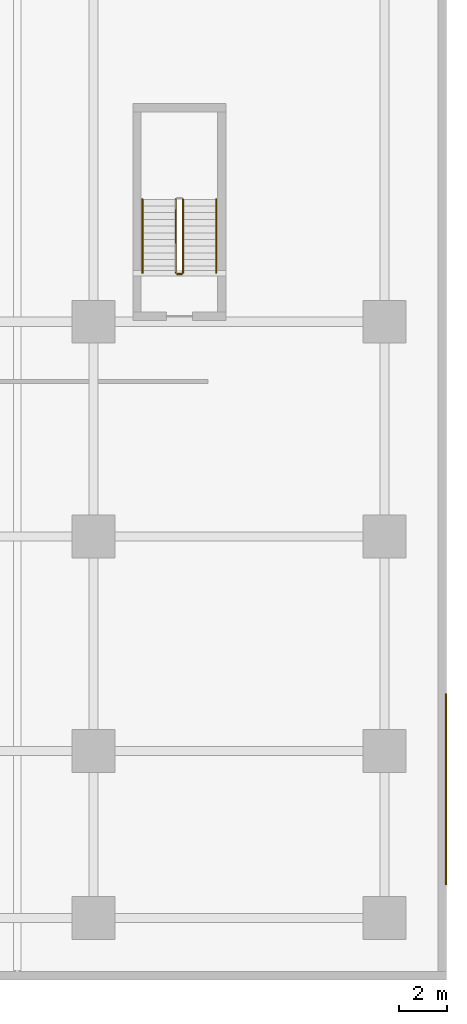
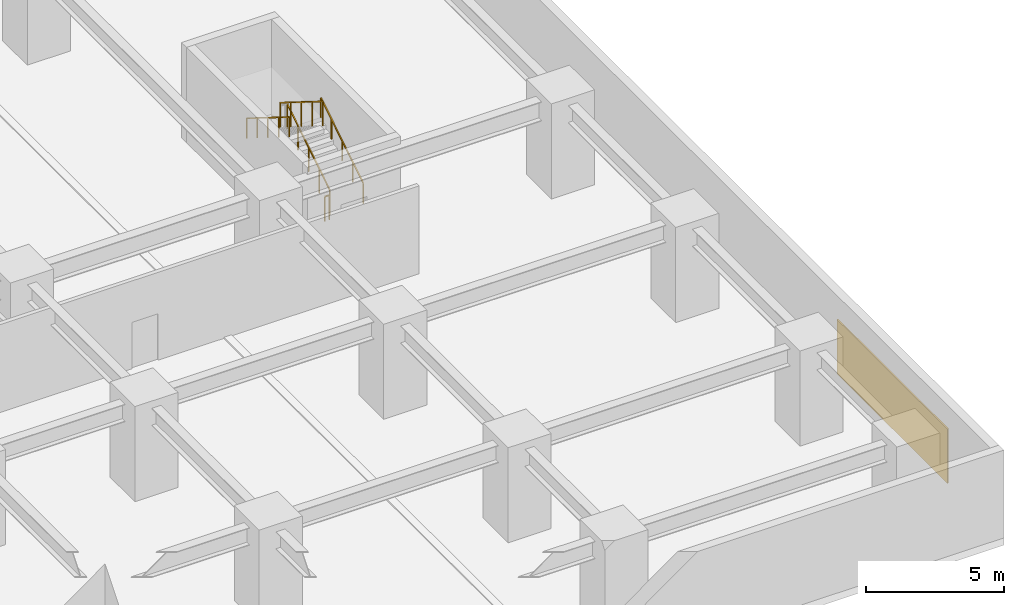
# One storey, part 20 of 22: 5 railings, 1 covering.
"""IFC4 building model written with IfcOpenShell, lengths in metres."""

from ifc_helpers import new_model, si_unit, direction, frame, origin, origin_2d, place, context, subcontext, project, spatial, polyline, rectangle, outline, extrude, material, layer, layer_set, type_object, element, save


model = new_model("IFC4")

# Units and contexts
model_context = context("Model", 3, precision=1e-05, world=origin(), true_north=direction((0.0, 1.0)))
body_context = subcontext(model_context, "Body", "Model", "MODEL_VIEW")
ifc_project = project(units=[si_unit("LENGTHUNIT", "METRE"), si_unit("AREAUNIT", "SQUARE_METRE"), si_unit("VOLUMEUNIT", "CUBIC_METRE"), si_unit("PLANEANGLEUNIT", "RADIAN"), si_unit("MASSUNIT", "GRAM", prefix="KILO")], contexts=[model_context])

# Site, building, storey
site_placement = place(None, origin())
site = spatial("IfcSite", under=ifc_project, at=site_placement, CompositionType="ELEMENT")
building_placement = place(site_placement, origin())
building = spatial("IfcBuilding", under=site, at=building_placement, Name="Kiyonajd Concourse Tower", CompositionType="ELEMENT")
storey_placement = place(building_placement, frame((0.0, 0.0, 4.5)))
storey = spatial("IfcBuildingStorey", under=building, at=storey_placement, Name="L02", CompositionType="ELEMENT", Elevation=4.5)

# Covering
ifc_material_1 = material(Name="Riyadh Jubaila Limestone", Category="masonry")
ifc_layer = layer(ifc_material_1, 0.06005859375)
ifc_layer_set = layer_set([ifc_layer], Name="Riyadh Jubaila Limestone")
covering_type = type_object("IfcCoveringType", Name="CV-CLD-STONE", PredefinedType="CLADDING", material=ifc_layer_set)
covering_placement = place(storey_placement, origin())
element("IfcCovering", 1, at=covering_placement, inside=storey, type_object=covering_type, Name="L02 Riyadh Jubaila Limestone Pier Cladding 2", PredefinedType="CLADDING", context=body_context, shape_type="SweptSolid", body=[
    extrude(outline(polyline([(95.93994140625, 4.0), (96.0, 4.0), (96.0, 12.0), (95.93994140625, 12.0), (95.93994140625, 4.0)])), origin(), (0.0, 0.0, 1.0), 2.39990234375),
])

# Railings
ifc_material_2 = material(Name="Steel ASTM A500 Grade C", Category="steel")
railing_type_1 = type_object("IfcRailingType", Name="RL-GRD-STR", PredefinedType="GUARDRAIL", material=ifc_material_2)
railing_1_placement = place(storey_placement, frame((84.949951171875, 29.64990234375, 0.175048828125)))
element("IfcRailing", 2, at=railing_1_placement, inside=storey, type_object=railing_type_1, Name="L02 ST5 stair guard 1", PredefinedType="GUARDRAIL", context=body_context, shape_type="SweptSolid", body=[
    extrude(rectangle(XDim=0.048095703125, YDim=0.048095703125, at=origin_2d()), frame((0.0, 0.0, 1.076171875), z_axis=(0.0, 0.847998304005, 0.529998940003), x_axis=(-1.0, 0.0, 0.0)), (0.0, 0.0, 1.0), 3.632080078125),
    extrude(rectangle(XDim=0.0419921875, YDim=0.0419921875, at=origin_2d()), origin(), (0.0, 0.0, 1.0), 1.052001953125),
    extrude(rectangle(XDim=0.0419921875, YDim=0.0419921875, at=origin_2d()), frame((0.0, 0.77001953125, 0.481201171875)), (0.0, 0.0, 1.0), 1.052001953125),
    extrude(rectangle(XDim=0.0419921875, YDim=0.0419921875, at=origin_2d()), frame((0.0, 1.5400390625, 0.96240234375)), (0.0, 0.0, 1.0), 1.052001953125),
    extrude(rectangle(XDim=0.0419921875, YDim=0.0419921875, at=origin_2d()), frame((0.0, 2.31005859375, 1.44384765625)), (0.0, 0.0, 1.0), 1.052001953125),
    extrude(rectangle(XDim=0.0419921875, YDim=0.0419921875, at=origin_2d()), frame((0.0, 3.080078125, 1.925048828125)), (0.0, 0.0, 1.0), 1.052001953125),
])
railing_2_placement = place(storey_placement, frame((84.64990234375, 32.72998046875, 2.27490234375)))
element("IfcRailing", 3, at=railing_2_placement, inside=storey, type_object=railing_type_1, Name="L02 ST5 stair guard 3", PredefinedType="GUARDRAIL", context=body_context, shape_type="SweptSolid", body=[
    extrude(rectangle(XDim=0.048095703125, YDim=0.048095703125, at=origin_2d()), frame((0.0, 0.0, 1.076171875), z_axis=(0.0, -0.847998304005, 0.529998940003), x_axis=(1.0, 0.0, 0.0)), (0.0, 0.0, 1.0), 3.632080078125),
    extrude(rectangle(XDim=0.0419921875, YDim=0.0419921875, at=origin_2d()), origin(), (0.0, 0.0, 1.0), 1.052001953125),
    extrude(rectangle(XDim=0.0419921875, YDim=0.0419921875, at=origin_2d()), frame((0.0, -0.77001953125, 0.481201171875)), (0.0, 0.0, 1.0), 1.052001953125),
    extrude(rectangle(XDim=0.0419921875, YDim=0.0419921875, at=origin_2d()), frame((0.0, -1.5400390625, 0.96240234375)), (0.0, 0.0, 1.0), 1.052001953125),
    extrude(rectangle(XDim=0.0419921875, YDim=0.0419921875, at=origin_2d()), frame((0.0, -2.31005859375, 1.44384765625)), (0.0, 0.0, 1.0), 1.052001953125),
    extrude(rectangle(XDim=0.0419921875, YDim=0.0419921875, at=origin_2d()), frame((0.0, -3.080078125, 1.925048828125)), (0.0, 0.0, 1.0), 1.052001953125),
])
railing_3_placement = place(storey_placement, frame((84.89990234375, 29.60009765625, 0.0)))
element("IfcRailing", 4, at=railing_3_placement, inside=storey, type_object=railing_type_1, Name="L02 ST5 stair guard 4", PredefinedType="GUARDRAIL", context=body_context, shape_type="SweptSolid", body=[
    extrude(rectangle(XDim=0.048095703125, YDim=0.048095703125, at=origin_2d()), frame((0.0, 0.0, 1.076171875), z_axis=(-1.0, 0.0, 0.0), x_axis=(0.0, -1.0, 0.0)), (0.0, 0.0, 1.0), 0.199951171875),
    extrude(rectangle(XDim=0.0419921875, YDim=0.0419921875, at=origin_2d()), origin(), (0.0, 0.0, 1.0), 1.052001953125),
    extrude(rectangle(XDim=0.0419921875, YDim=0.0419921875, at=origin_2d()), frame((-0.199951171875, 0.0, 0.0)), (0.0, 0.0, 1.0), 1.052001953125),
])
ifc_material_3 = material(Name="Brushed Stainless Steel Cab Assembly", Category="steel")
railing_type_2 = type_object("IfcRailingType", Name="RL-HND-900", PredefinedType="HANDRAIL", material=ifc_material_3)
railing_4_placement = place(storey_placement, frame((86.35009765625, 29.64990234375, 0.175048828125)))
element("IfcRailing", 5, at=railing_4_placement, inside=storey, type_object=railing_type_2, Name="L02 ST5 stair handrail 1", PredefinedType="HANDRAIL", context=body_context, shape_type="SweptSolid", body=[
    extrude(rectangle(XDim=0.048095703125, YDim=0.048095703125, at=origin_2d()), frame((0.0, 0.0, 0.8759765625), z_axis=(0.0, 0.847998304005, 0.529998940003), x_axis=(-1.0, 0.0, 0.0)), (0.0, 0.0, 1.0), 3.632080078125),
    extrude(rectangle(XDim=0.0419921875, YDim=0.0419921875, at=origin_2d()), origin(), (0.0, 0.0, 1.0), 0.851806640625),
    extrude(rectangle(XDim=0.0419921875, YDim=0.0419921875, at=origin_2d()), frame((0.0, 0.77001953125, 0.481201171875)), (0.0, 0.0, 1.0), 0.851806640625),
    extrude(rectangle(XDim=0.0419921875, YDim=0.0419921875, at=origin_2d()), frame((0.0, 1.5400390625, 0.96240234375)), (0.0, 0.0, 1.0), 0.851806640625),
    extrude(rectangle(XDim=0.0419921875, YDim=0.0419921875, at=origin_2d()), frame((0.0, 2.31005859375, 1.44384765625)), (0.0, 0.0, 1.0), 0.851806640625),
    extrude(rectangle(XDim=0.0419921875, YDim=0.0419921875, at=origin_2d()), frame((0.0, 3.080078125, 1.925048828125)), (0.0, 0.0, 1.0), 0.851806640625),
])
railing_5_placement = place(storey_placement, frame((83.25, 32.72998046875, 2.27490234375)))
element("IfcRailing", 6, at=railing_5_placement, inside=storey, type_object=railing_type_2, Name="L02 ST5 stair handrail 2", PredefinedType="HANDRAIL", context=body_context, shape_type="SweptSolid", body=[
    extrude(rectangle(XDim=0.048095703125, YDim=0.048095703125, at=origin_2d()), frame((0.0, 0.0, 0.8759765625), z_axis=(0.0, -0.847998304005, 0.529998940003), x_axis=(1.0, 0.0, 0.0)), (0.0, 0.0, 1.0), 3.632080078125),
    extrude(rectangle(XDim=0.0419921875, YDim=0.0419921875, at=origin_2d()), origin(), (0.0, 0.0, 1.0), 0.851806640625),
    extrude(rectangle(XDim=0.0419921875, YDim=0.0419921875, at=origin_2d()), frame((0.0, -0.77001953125, 0.481201171875)), (0.0, 0.0, 1.0), 0.851806640625),
    extrude(rectangle(XDim=0.0419921875, YDim=0.0419921875, at=origin_2d()), frame((0.0, -1.5400390625, 0.96240234375)), (0.0, 0.0, 1.0), 0.851806640625),
    extrude(rectangle(XDim=0.0419921875, YDim=0.0419921875, at=origin_2d()), frame((0.0, -2.31005859375, 1.44384765625)), (0.0, 0.0, 1.0), 0.851806640625),
    extrude(rectangle(XDim=0.0419921875, YDim=0.0419921875, at=origin_2d()), frame((0.0, -3.080078125, 1.925048828125)), (0.0, 0.0, 1.0), 0.851806640625),
])

save(model, "model.ifc")
